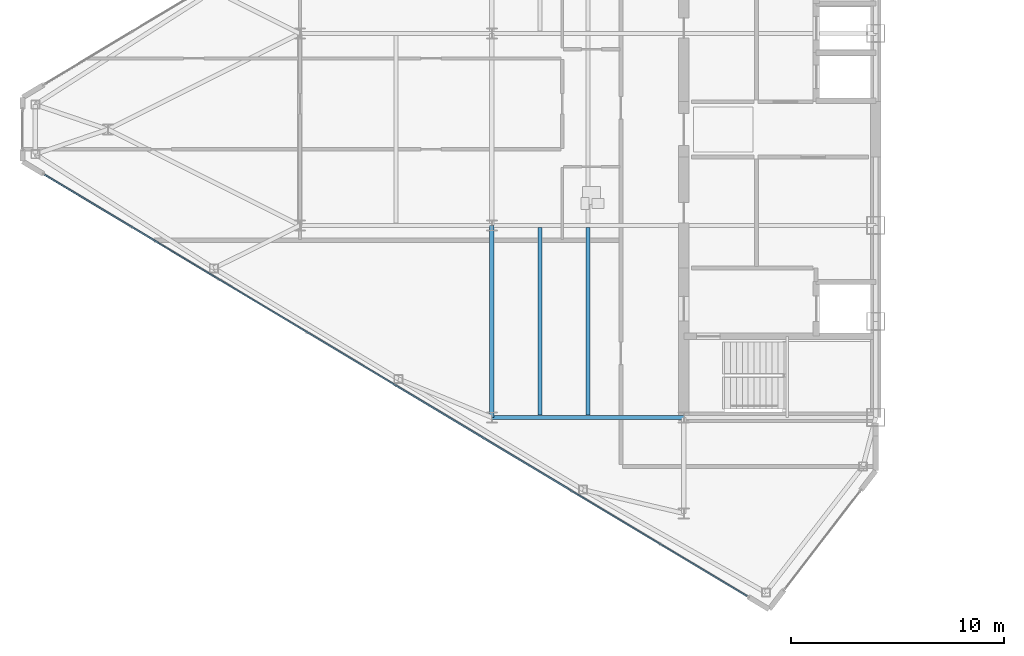
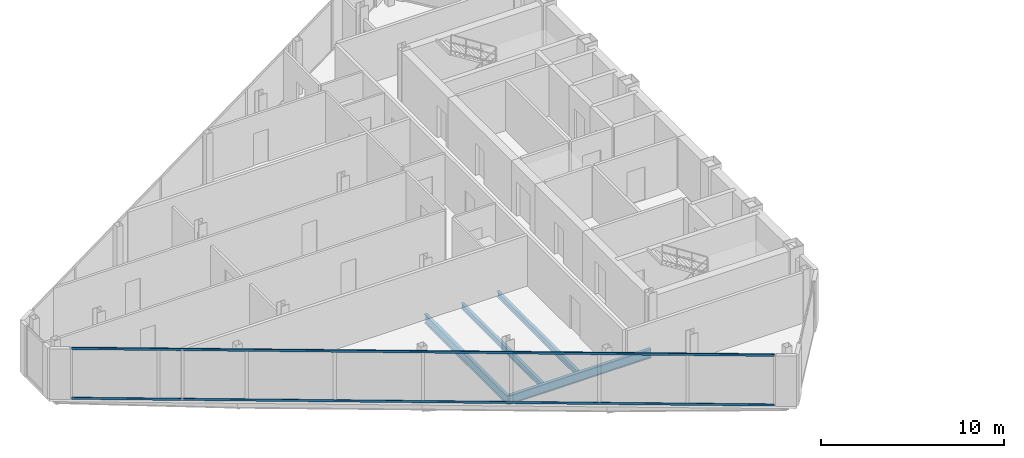
# One storey, part 6 of 25: 4 beams, 2 members, 1 element without a shape of its own.
"""IFC4 building model written with IfcOpenShell, lengths in metres."""

from ifc_helpers import new_model, si_unit, direction, frame, origin, origin_2d, place, context, subcontext, project, spatial, rectangle, i_section, extrude, source, transform, mapped, material, layer, layer_set, material_profile, profile_set, type_object, type_shapes, element, aggregate, save


model = new_model("IFC4")

# Units and contexts
model_context = context("Model", 3, precision=1e-05, world=origin(), true_north=direction((0.0, 1.0)))
body_context = subcontext(model_context, "Body", "Model", "MODEL_VIEW")
ifc_project = project(units=[si_unit("LENGTHUNIT", "METRE"), si_unit("AREAUNIT", "SQUARE_METRE"), si_unit("VOLUMEUNIT", "CUBIC_METRE"), si_unit("PLANEANGLEUNIT", "RADIAN"), si_unit("MASSUNIT", "GRAM", prefix="KILO")], contexts=[model_context])

# Site, building, storey
site_placement = place(None, origin())
site = spatial("IfcSite", under=ifc_project, at=site_placement, CompositionType="ELEMENT")
building_placement = place(site_placement, origin())
building = spatial("IfcBuilding", under=site, at=building_placement, Name="Seokmaru Belvedere", CompositionType="ELEMENT")
storey_placement = place(building_placement, frame((0.0, 0.0, 217.5)))
storey = spatial("IfcBuildingStorey", under=building, at=storey_placement, Name="L58", CompositionType="ELEMENT", Elevation=217.5)

# Beams
ifc_material_1 = material(Name="Steel SM355 (355 MPa)", Category="steel")
ifc_material_profile_1 = material_profile(ifc_material_1, i_section(OverallWidth=0.199951171875, OverallDepth=0.60009765625, WebThickness=0.010986328125, FlangeThickness=0.01708984375, at=origin_2d()), Name="H-600x200x11x17")
ifc_profile_set_1 = profile_set([ifc_material_profile_1], Name="Steel SM355 (355 MPa)")
beam_type_1 = type_object("IfcBeamType", Name="Primary Floor Girder H-600", PredefinedType="BEAM", material=ifc_profile_set_1)
shared_shape_1 = source(origin(), body_context, "Body", "SweptSolid", [
    extrude(i_section(OverallWidth=0.199951171875, OverallDepth=0.60009765625, WebThickness=0.010986328125, FlangeThickness=0.01708984375, at=origin_2d()), origin(), (0.0, 0.0, 1.0), 9.0),
])
type_shapes(beam_type_1, [shared_shape_1])
for number, where, z_axis, x_axis, name in (
    (1, (-45.5, -13.5, -0.52001953125), (0.0, 1.0, 0.0), (-1.0, 0.0, 0.0), "L58 W Interior Grid Girder 1"),
    (2, (-45.5, -13.5, -0.52001953125), (1.0, 0.0, 0.0), (0.0, 1.0, 0.0), "L58 W Wing Primary Girder 1"),
):
    element("IfcBeam", number, at=place(storey_placement, frame(where, z_axis=z_axis, x_axis=x_axis)), inside=storey, type_object=beam_type_1, Name=name, PredefinedType="BEAM", context=body_context, shape_type="MappedRepresentation", body=[
        mapped(shared_shape_1, transform((0.0, 0.0, 0.0), scale=1.0)),
    ])
ifc_material_profile_2 = material_profile(ifc_material_1, i_section(OverallWidth=0.18505859375, OverallDepth=0.389892578125, WebThickness=0.008056640625, FlangeThickness=0.011962890625, at=origin_2d()), Name="H-390x185x8x12")
ifc_profile_set_2 = profile_set([ifc_material_profile_2], Name="Steel SM355 (355 MPa)")
beam_type_2 = type_object("IfcBeamType", Name="Secondary Floor Joist H-350", PredefinedType="JOIST", material=ifc_profile_set_2)
shared_shape_2 = source(origin(), body_context, "Body", "SweptSolid", [
    extrude(i_section(OverallWidth=0.18505859375, OverallDepth=0.389892578125, WebThickness=0.008056640625, FlangeThickness=0.011962890625, at=origin_2d()), origin(), (0.0, 0.0, 1.0), 8.7900390625),
])
type_shapes(beam_type_2, [shared_shape_2])
for number, where, z_axis, x_axis, name in (
    (3, (-43.25, -13.39501953125, -0.4150390625), (0.0, 1.0, 0.0), (-1.0, 0.0, 0.0), "L58 W Wing Inner Secondary Joist 1"),
    (4, (-41.0, -13.39501953125, -0.4150390625), (0.0, 1.0, 0.0), (-1.0, 0.0, 0.0), "L58 W Secondary Floor Joist 1"),
):
    element("IfcBeam", number, at=place(storey_placement, frame(where, z_axis=z_axis, x_axis=x_axis)), inside=storey, type_object=beam_type_2, Name=name, PredefinedType="JOIST", context=body_context, shape_type="MappedRepresentation", body=[
        mapped(shared_shape_2, transform((0.0, 0.0, 0.0), scale=1.0)),
    ])

# Curtain wall, members
ifc_material_2 = material(Name="Bronze Triple Insulating Glass", Category="glass")
ifc_layer = layer(ifc_material_2, 0.179931640625)
ifc_layer_set = layer_set([ifc_layer], Name="Bronze Triple Insulating Glass")
curtain_wall_type = type_object("IfcCurtainWallType", Name="High-Rise Wind-Corner Curtain Wall System CW-5", PredefinedType="NOTDEFINED", material=ifc_layer_set)
curtain_wall_placement = place(storey_placement, origin())
curtain_wall = element("IfcCurtainWall", 5, at=curtain_wall_placement, inside=storey, type_object=curtain_wall_type, Name="L58 Curtain Wall WF5", PredefinedType="NOTDEFINED")
ifc_material_3 = material(Name="Anodised Bronze Aluminium", Category="aluminium")
ifc_material_profile_3 = material_profile(ifc_material_3, rectangle(XDim=0.06494140625, YDim=0.14990234375, at=origin_2d()), Name="CW-T-65x150")
ifc_profile_set_3 = profile_set([ifc_material_profile_3], Name="Anodised Bronze Aluminium")
member_type = type_object("IfcMemberType", Name="Bronze Unitised Transom 65x150", PredefinedType="USERDEFINED", material=ifc_profile_set_3)
shared_shape_3 = source(origin(), body_context, "Body", "SweptSolid", [
    extrude(rectangle(XDim=0.06494140625, YDim=0.14990234375, at=origin_2d()), origin(), (0.0, 0.0, 1.0), 38.386962890625),
])
type_shapes(member_type, [shared_shape_3])
member_1_placement = place(storey_placement, frame((-66.458251953125, -2.125, 0.032470703125), z_axis=(0.85749180336, -0.514497626011, 0.0), x_axis=(0.514497626011, 0.85749180336, 0.0)))
member_1 = element("IfcMember", 6, at=member_1_placement, type_object=member_type, Name="CW:L58:WF5 Continuous Transom 1", ObjectType="TRANSOM", PredefinedType="USERDEFINED", context=body_context, shape_type="MappedRepresentation", body=[
    mapped(shared_shape_3, transform((0.0, 0.0, 0.0), scale=1.0)),
])
member_2_placement = place(storey_placement, frame((-66.458251953125, -2.125, 3.347412109375), z_axis=(0.85749180336, -0.514497626011, 0.0), x_axis=(0.514497626011, 0.85749180336, 0.0)))
member_2 = element("IfcMember", 7, at=member_2_placement, type_object=member_type, Name="CW:L58:WF5 Continuous Transom 2", ObjectType="TRANSOM", PredefinedType="USERDEFINED", context=body_context, shape_type="MappedRepresentation", body=[
    mapped(shared_shape_3, transform((0.0, 0.0, 0.0), scale=1.0)),
])
aggregate(curtain_wall, [member_1, member_2])

save(model, "model.ifc")
